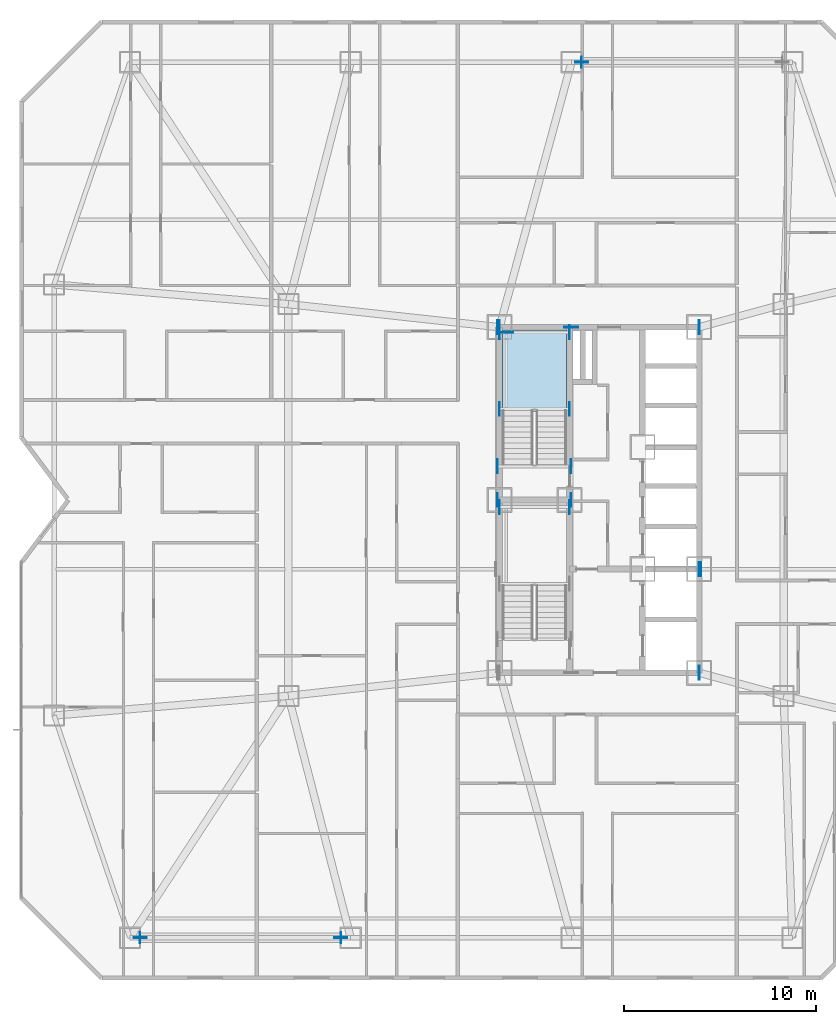
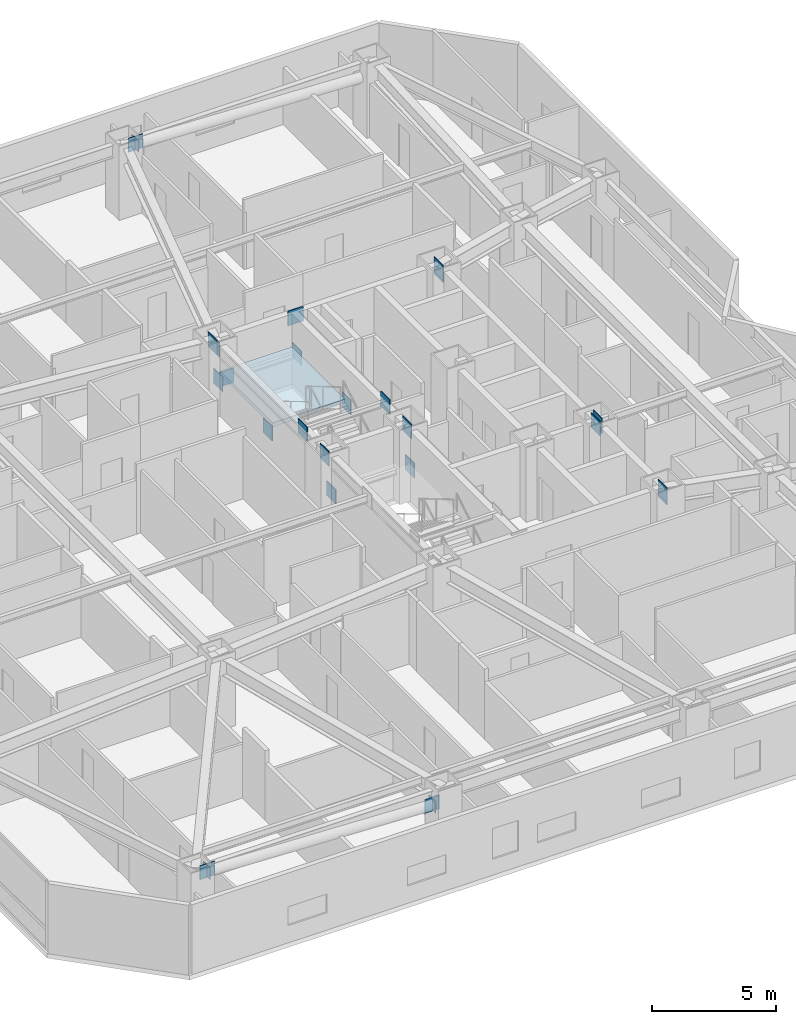
# One storey, part 9 of 18: 26 plates, 1 slab, 1 element without a shape of its own.
"""IFC4 building model written with IfcOpenShell, lengths in metres."""

from ifc_helpers import new_model, si_unit, direction, frame, origin, origin_2d, place, context, subcontext, project, spatial, polyline, rectangle, outline, extrude, material, layer, layer_set, type_object, element, aggregate, save


model = new_model("IFC4")

# Units and contexts
model_context = context("Model", 3, precision=1e-05, world=origin(), true_north=direction((0.0, 1.0)))
body_context = subcontext(model_context, "Body", "Model", "MODEL_VIEW")
ifc_project = project(units=[si_unit("LENGTHUNIT", "METRE"), si_unit("AREAUNIT", "SQUARE_METRE"), si_unit("VOLUMEUNIT", "CUBIC_METRE"), si_unit("PLANEANGLEUNIT", "RADIAN"), si_unit("MASSUNIT", "GRAM", prefix="KILO")], contexts=[model_context])

# Site, building, storey
site_placement = place(None, origin())
site = spatial("IfcSite", under=ifc_project, at=site_placement, CompositionType="ELEMENT")
building_placement = place(site_placement, origin())
building = spatial("IfcBuilding", under=site, at=building_placement, Name="Khamvora Tower", CompositionType="ELEMENT")
storey_placement = place(building_placement, frame((0.0, 0.0, 47.89990234375)))
storey = spatial("IfcBuildingStorey", under=building, at=storey_placement, Name="L11", CompositionType="ELEMENT", Elevation=47.89990234375)

# Plates
ifc_material_1 = material(Name="Steel S355", Category="steel")
ifc_layer_1 = layer(ifc_material_1, 0.02490234375)
ifc_layer_set_1 = layer_set([ifc_layer_1], Name="Steel S355")
plate_type_1 = type_object("IfcPlateType", Name="PL-CAP-25", PredefinedType="SHEET", material=ifc_layer_set_1)
for number, where, z_axis, x_axis, name in (
    (1, (20.73193359375, 5.199951171875, 2.416015625), (0.0, 0.0, 1.0), (-1.0, 0.0, 0.0), "L11 hollow section steel end cap plate 0572"),
    (2, (10.26806640625, 5.199951171875, 2.81689453125), (0.0, 0.0, 1.0), (-1.0, 0.0, 0.0), "L11 hollow section steel end cap plate 0573"),
    (3, (33.26806640625, 50.800048828125, 2.81689453125), (0.0, 0.0, 1.0), (-1.0, 0.0, 0.0), "L11 hollow section steel end cap plate 0575"),
):
    element("IfcPlate", number, at=place(storey_placement, frame(where, z_axis=z_axis, x_axis=x_axis)), inside=storey, type_object=plate_type_1, Name=name, PredefinedType="SHEET", context=body_context, shape_type="SweptSolid", body=[
        extrude(rectangle(XDim=0.02490234375, YDim=0.568115234375, at=origin_2d()), origin(), (0.0, 0.0, 1.0), 0.568115234375),
    ])
ifc_material_2 = material(Name="Steel S460", Category="steel")
ifc_layer_2 = layer(ifc_material_2, 0.034912109375)
ifc_layer_set_2 = layer_set([ifc_layer_2], Name="Steel S460")
plate_type_2 = type_object("IfcPlateType", Name="PL-EMB-35", PredefinedType="SHEET", material=ifc_layer_set_2)
for number, where, z_axis, x_axis, name in (
    (4, (29.0, 27.6298828125, 1.13427734375), (0.0, 0.0, 1.0), (1.0, 0.0, 0.0), "L11 core shear wall cast-in embed plate 0340"),
    (5, (32.64990234375, 27.6298828125, 1.13427734375), (0.0, 0.0, 1.0), (1.0, 0.0, 0.0), "L11 core shear wall cast-in embed plate 0341"),
    (6, (29.0, 32.735107421875, 1.13427734375), (0.0, 0.0, 1.0), (1.0, 0.0, 0.0), "L11 core shear wall cast-in embed plate 0342"),
    (7, (32.64990234375, 32.735107421875, 1.13427734375), (0.0, 0.0, 1.0), (1.0, 0.0, 0.0), "L11 core shear wall cast-in embed plate 0343"),
    (8, (29.0, 36.72998046875, 1.13427734375), (0.0, 0.0, 1.0), (1.0, 0.0, 0.0), "L11 core shear wall cast-in embed plate 0344"),
    (9, (32.64990234375, 36.72998046875, 1.13427734375), (0.0, 0.0, 1.0), (1.0, 0.0, 0.0), "L11 core shear wall cast-in embed plate 0345"),
):
    element("IfcPlate", number, at=place(storey_placement, frame(where, z_axis=z_axis, x_axis=x_axis)), inside=storey, type_object=plate_type_2, Name=name, PredefinedType="SHEET", context=body_context, shape_type="SweptSolid", body=[
        extrude(rectangle(XDim=0.034912109375, YDim=0.719970703125, at=origin_2d()), origin(), (0.0, 0.0, 1.0), 0.719970703125),
    ])
plate_1_placement = place(storey_placement, frame((29.35009765625, 36.72998046875, 1.13427734375), z_axis=(0.0, 0.0, 1.0), x_axis=(1.0, 0.0, 0.0)))
element("IfcPlate", 10, at=plate_1_placement, inside=storey, type_object=plate_type_2, Name="L11 core shear wall cast-in embed plate 0346", PredefinedType="SHEET", context=body_context, shape_type="SweptSolid", body=[
    extrude(rectangle(XDim=0.719970703125, YDim=0.034912109375, at=origin_2d()), origin(), (0.0, 0.0, 1.0), 0.719970703125),
])
for number, where, z_axis, x_axis, name in (
    (11, (29.0, 37.0, 2.68408203125), (0.0, 0.0, 1.0), (1.0, 0.0, 0.0), "L11 core shear wall cast-in embed plate 0348"),
    (12, (39.39990234375, 19.0, 2.68408203125), (0.0, 0.0, 1.0), (1.0, 0.0, 0.0), "L11 core shear wall cast-in embed plate 0349"),
    (13, (39.39990234375, 37.0, 2.68408203125), (0.0, 0.0, 1.0), (1.0, 0.0, 0.0), "L11 core shear wall cast-in embed plate 0350"),
    (14, (28.89990234375, 28.0, 2.80322265625), (0.0, 0.0, 1.0), (1.0, 0.0, 0.0), "L11 core shear wall cast-in embed plate 0352"),
    (15, (28.89990234375, 37.0, 2.80322265625), (0.0, 0.0, 1.0), (1.0, 0.0, 0.0), "L11 core shear wall cast-in embed plate 0353"),
    (16, (32.72998046875, 28.0, 2.80322265625), (0.0, 0.0, 1.0), (1.0, 0.0, 0.0), "L11 core shear wall cast-in embed plate 0355"),
):
    element("IfcPlate", number, at=place(storey_placement, frame(where, z_axis=z_axis, x_axis=x_axis)), inside=storey, type_object=plate_type_2, Name=name, PredefinedType="SHEET", context=body_context, shape_type="SweptSolid", body=[
        extrude(rectangle(XDim=0.034912109375, YDim=0.719970703125, at=origin_2d()), origin(), (0.0, 0.0, 1.0), 0.719970703125),
    ])
plate_2_placement = place(storey_placement, frame((32.72998046875, 37.0, 2.80322265625), z_axis=(0.0, 0.0, 1.0), x_axis=(1.0, 0.0, 0.0)))
element("IfcPlate", 17, at=plate_2_placement, inside=storey, type_object=plate_type_2, Name="L11 core shear wall cast-in embed plate 0356", PredefinedType="SHEET", context=body_context, shape_type="SweptSolid", body=[
    extrude(rectangle(XDim=0.719970703125, YDim=0.034912109375, at=origin_2d()), origin(), (0.0, 0.0, 1.0), 0.719970703125),
])
for number, where, z_axis, x_axis, name in (
    (18, (39.39990234375, 19.0, 2.80322265625), (0.0, 0.0, 1.0), (1.0, 0.0, 0.0), "L11 core shear wall cast-in embed plate 0357"),
    (19, (39.39990234375, 24.39990234375, 2.80322265625), (0.0, 0.0, 1.0), (1.0, 0.0, 0.0), "L11 core shear wall cast-in embed plate 0358"),
    (20, (39.39990234375, 37.0, 2.80322265625), (0.0, 0.0, 1.0), (1.0, 0.0, 0.0), "L11 core shear wall cast-in embed plate 0359"),
    (21, (28.89990234375, 29.75, 2.9443359375), (0.0, 0.0, 1.0), (1.0, 0.0, 0.0), "L11 core shear wall cast-in embed plate 0362"),
    (22, (32.72998046875, 29.75, 2.9443359375), (0.0, 0.0, 1.0), (1.0, 0.0, 0.0), "L11 core shear wall cast-in embed plate 0363"),
    (23, (39.4990234375, 24.39990234375, 2.89208984375), (0.0, 0.0, 1.0), (1.0, 0.0, 0.0), "L11 core shear wall cast-in embed plate 0365"),
):
    element("IfcPlate", number, at=place(storey_placement, frame(where, z_axis=z_axis, x_axis=x_axis)), inside=storey, type_object=plate_type_2, Name=name, PredefinedType="SHEET", context=body_context, shape_type="SweptSolid", body=[
        extrude(rectangle(XDim=0.034912109375, YDim=0.719970703125, at=origin_2d()), origin(), (0.0, 0.0, 1.0), 0.719970703125),
    ])
ifc_layer_3 = layer(ifc_material_2, 0.0400390625)
ifc_layer_set_3 = layer_set([ifc_layer_3], Name="Steel S460")
plate_type_3 = type_object("IfcPlateType", Name="PLT-GUS-40", PredefinedType="SHEET", material=ifc_layer_set_3)
for number, where, z_axis, x_axis, name in (
    (24, (20.719970703125, 5.199951171875, 2.3603515625), (0.0, 0.0, 1.0), (1.0, 0.0, 0.0), "L11 brace connection node gusset plate 0089"),
    (25, (10.280029296875, 5.199951171875, 2.76123046875), (0.0, 0.0, 1.0), (1.0, 0.0, 0.0), "L11 brace connection node gusset plate 0090"),
    (26, (33.280029296875, 50.800048828125, 2.76123046875), (0.0, 0.0, 1.0), (1.0, 0.0, 0.0), "L11 brace connection node gusset plate 0092"),
):
    element("IfcPlate", number, at=place(storey_placement, frame(where, z_axis=z_axis, x_axis=x_axis)), inside=storey, type_object=plate_type_3, Name=name, PredefinedType="SHEET", context=body_context, shape_type="SweptSolid", body=[
        extrude(rectangle(XDim=0.679931640625, YDim=0.0400390625, at=origin_2d()), origin(), (0.0, 0.0, 1.0), 0.679931640625),
    ])

# Stair, slab
ifc_material_3 = material(Name="Concrete C40/50", Category="concrete")
stair_type = type_object("IfcStairType", Name="STR-ST-02", PredefinedType="HALF_TURN_STAIR", material=ifc_material_3)
stair_placement = place(storey_placement, origin())
stair = element("IfcStair", 27, at=stair_placement, inside=storey, type_object=stair_type, Name="L11 North Tower Exit Stair ST-02", PredefinedType="HALF_TURN_STAIR")
ifc_layer_4 = layer(ifc_material_3, 0.199951171875)
ifc_layer_set_4 = layer_set([ifc_layer_4], Name="Concrete C40/50")
slab_type = type_object("IfcSlabType", Name="SLB-LND-200", PredefinedType="LANDING", material=ifc_layer_set_4)
slab_placement = place(storey_placement, frame((0.0, 0.0, 1.625)))
slab = element("IfcSlab", 28, at=slab_placement, type_object=slab_type, Name="ST-02 landing 1", PredefinedType="LANDING", context=body_context, shape_type="SweptSolid", body=[
    extrude(outline(polyline([(32.5, 32.614990234375), (32.5, 36.85009765625), (29.14990234375, 36.85009765625), (29.14990234375, 32.614990234375), (32.5, 32.614990234375)])), origin(), (0.0, 0.0, 1.0), 0.2001953125),
])
aggregate(stair, [slab])

save(model, "model.ifc")
